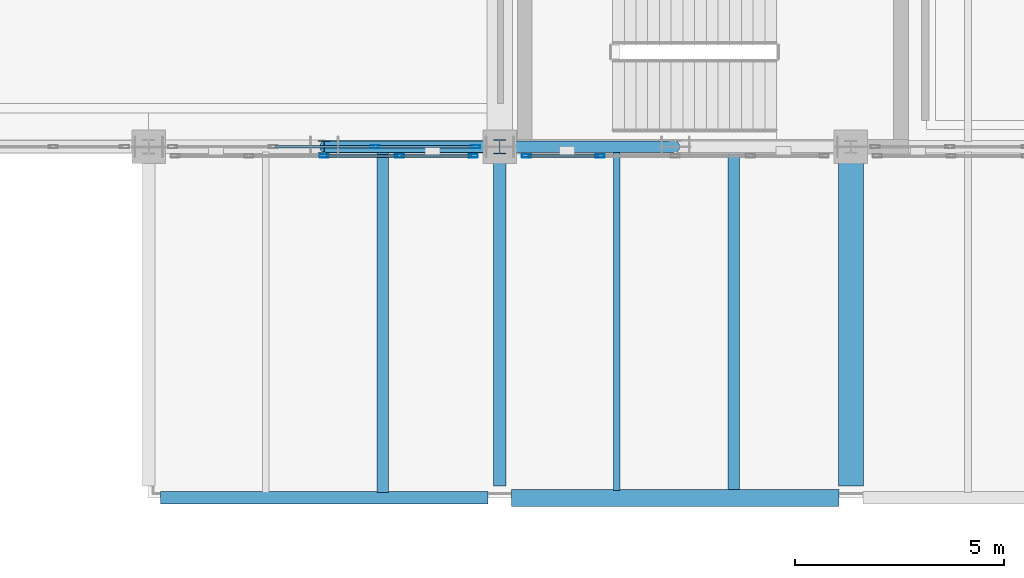
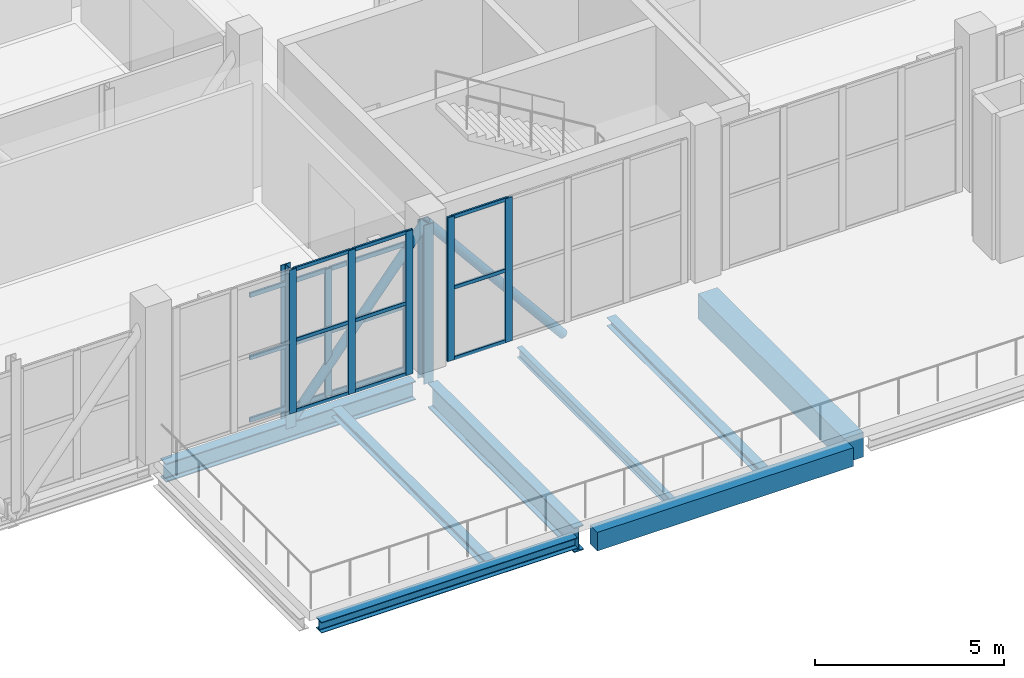
# One storey, part 4 of 77: 26 members, 8 beams, 3 elements without a shape of their own.
"""IFC4 building model written with IfcOpenShell, lengths in metres."""

from ifc_helpers import new_model, si_unit, direction, frame, origin, origin_2d, place, context, subcontext, project, spatial, rectangle, hollow_rectangle, hollow_circle, i_section, extrude, material, layer, layer_set, material_profile, profile_set, type_object, element, aggregate, save


model = new_model("IFC4")

# Units and contexts
model_context = context("Model", 3, precision=1e-05, world=origin(), true_north=direction((0.0, 1.0)))
body_context = subcontext(model_context, "Body", "Model", "MODEL_VIEW")
ifc_project = project(units=[si_unit("LENGTHUNIT", "METRE"), si_unit("AREAUNIT", "SQUARE_METRE"), si_unit("VOLUMEUNIT", "CUBIC_METRE"), si_unit("PLANEANGLEUNIT", "RADIAN"), si_unit("MASSUNIT", "GRAM", prefix="KILO")], contexts=[model_context])

# Site, building, storey
site_placement = place(None, origin())
site = spatial("IfcSite", under=ifc_project, at=site_placement, CompositionType="ELEMENT")
building_placement = place(site_placement, origin())
building = spatial("IfcBuilding", under=site, at=building_placement, Name="Zulmaris Art Gallery", CompositionType="ELEMENT")
storey_placement = place(building_placement, frame((0.0, 0.0, 15.60009765625)))
storey = spatial("IfcBuildingStorey", under=building, at=storey_placement, Name="L03", CompositionType="ELEMENT", Elevation=15.60009765625)

# Beams
ifc_material_1 = material(Name="Steel S355J2", Category="steel")
ifc_material_profile_1 = material_profile(ifc_material_1, i_section(OverallWidth=0.300048828125, OverallDepth=0.60009765625, WebThickness=0.015380859375, FlangeThickness=0.030029296875, FilletRadius=0.027099609375, at=origin_2d()), Name="HEB 600")
ifc_profile_set_1 = profile_set([ifc_material_profile_1], Name="Steel S355J2")
beam_type_1 = type_object("IfcBeamType", Name="BEAM-BM15", PredefinedType="BEAM", material=ifc_profile_set_1)
beam_1_placement = place(storey_placement, frame((24.385009765625, 21.60009765625, -0.670166015625), z_axis=(1.0, 0.0, 0.0), x_axis=(0.0, 1.0, 0.0)))
element("IfcBeam", 1, at=beam_1_placement, inside=storey, type_object=beam_type_1, Name="L03 X-girder (24.0..32.4, y=21.6)", PredefinedType="BEAM", context=body_context, shape_type="SweptSolid", body=[
    extrude(i_section(OverallWidth=0.300048828125, OverallDepth=0.60009765625, WebThickness=0.015380859375, FlangeThickness=0.030029296875, FilletRadius=0.027099609375, at=origin_2d()), origin(), (0.0, 0.0, 1.0), 7.6298828125),
])
ifc_material_profile_2 = material_profile(ifc_material_1, i_section(OverallWidth=0.300048828125, OverallDepth=0.800048828125, WebThickness=0.017578125, FlangeThickness=0.032958984375, FilletRadius=0.030029296875, at=origin_2d()), Name="HEB 800")
ifc_profile_set_2 = profile_set([ifc_material_profile_2], Name="Steel S355J2")
beam_type_2 = type_object("IfcBeamType", Name="BEAM-BM17", PredefinedType="BEAM", material=ifc_profile_set_2)
beam_2_placement = place(storey_placement, frame((32.39990234375, 13.485107421875, -0.77001953125), z_axis=(0.0, 1.0, 0.0), x_axis=(-1.0, 0.0, 0.0)))
element("IfcBeam", 2, at=beam_2_placement, inside=storey, type_object=beam_type_2, Name="L03 Y-girder (x=32.4, 13.2..21.6)", PredefinedType="BEAM", context=body_context, shape_type="SweptSolid", body=[
    extrude(i_section(OverallWidth=0.300048828125, OverallDepth=0.800048828125, WebThickness=0.017578125, FlangeThickness=0.032958984375, FilletRadius=0.030029296875, at=origin_2d()), origin(), (0.0, 0.0, 1.0), 7.72998046875),
])
ifc_material_2 = material(Name="Concrete C40/50", Category="concrete")
ifc_material_profile_3 = material_profile(ifc_material_2, rectangle(XDim=0.60009765625, YDim=0.800048828125, at=origin_2d()), Name="RC 600x800")
ifc_profile_set_3 = profile_set([ifc_material_profile_3], Name="Concrete C40/50")
beam_type_3 = type_object("IfcBeamType", Name="BEAM-BM27", PredefinedType="BEAM", material=ifc_profile_set_3)
beam_3_placement = place(storey_placement, frame((40.800048828125, 13.485107421875, -0.77001953125), z_axis=(0.0, 1.0, 0.0), x_axis=(-1.0, 0.0, 0.0)))
element("IfcBeam", 3, at=beam_3_placement, inside=storey, type_object=beam_type_3, Name="L03 Y-girder (x=40.8, 13.2..21.6)", PredefinedType="BEAM", context=body_context, shape_type="SweptSolid", body=[
    extrude(rectangle(XDim=0.60009765625, YDim=0.800048828125, at=origin_2d()), origin(), (0.0, 0.0, 1.0), 7.72998046875),
])
ifc_material_profile_4 = material_profile(ifc_material_1, i_section(OverallWidth=0.159912109375, OverallDepth=0.330078125, WebThickness=0.007568359375, FlangeThickness=0.011474609375, FilletRadius=0.01806640625, at=origin_2d()), Name="IPE 330")
ifc_profile_set_4 = profile_set([ifc_material_profile_4], Name="Steel S355J2")
beam_type_4 = type_object("IfcBeamType", Name="BEAM-JS03", PredefinedType="JOIST", material=ifc_profile_set_4)
beam_4_placement = place(storey_placement, frame((35.199951171875, 13.375, -0.53515625), z_axis=(0.0, 1.0, 0.0), x_axis=(-1.0, 0.0, 0.0)))
element("IfcBeam", 4, at=beam_4_placement, inside=storey, type_object=beam_type_4, Name="L03 secondary joist at x=35.2", PredefinedType="JOIST", context=body_context, shape_type="SweptSolid", body=[
    extrude(i_section(OverallWidth=0.159912109375, OverallDepth=0.330078125, WebThickness=0.007568359375, FlangeThickness=0.011474609375, FilletRadius=0.01806640625, at=origin_2d()), origin(), (0.0, 0.0, 1.0), 8.10009765625),
])
ifc_material_profile_5 = material_profile(ifc_material_1, i_section(OverallWidth=0.280029296875, OverallDepth=0.27001953125, WebThickness=0.008056640625, FlangeThickness=0.012939453125, FilletRadius=0.02392578125, at=origin_2d()), Name="HEA 280")
ifc_profile_set_5 = profile_set([ifc_material_profile_5], Name="Steel S355J2")
beam_type_5 = type_object("IfcBeamType", Name="BEAM-JS04", PredefinedType="JOIST", material=ifc_profile_set_5)
beam_5_placement = place(storey_placement, frame((29.60009765625, 13.324951171875, -0.505126953125), z_axis=(0.0, 1.0, 0.0), x_axis=(-1.0, 0.0, 0.0)))
element("IfcBeam", 5, at=beam_5_placement, inside=storey, type_object=beam_type_5, Name="L03 secondary joist at x=29.6", PredefinedType="JOIST", context=body_context, shape_type="SweptSolid", body=[
    extrude(i_section(OverallWidth=0.280029296875, OverallDepth=0.27001953125, WebThickness=0.008056640625, FlangeThickness=0.012939453125, FilletRadius=0.02392578125, at=origin_2d()), origin(), (0.0, 0.0, 1.0), 8.150146484375),
])
beam_6_placement = place(storey_placement, frame((38.0, 13.375, -0.505126953125), z_axis=(0.0, 1.0, 0.0), x_axis=(-1.0, 0.0, 0.0)))
element("IfcBeam", 6, at=beam_6_placement, inside=storey, type_object=beam_type_5, Name="L03 secondary joist at x=38.0", PredefinedType="JOIST", context=body_context, shape_type="SweptSolid", body=[
    extrude(i_section(OverallWidth=0.280029296875, OverallDepth=0.27001953125, WebThickness=0.008056640625, FlangeThickness=0.012939453125, FilletRadius=0.02392578125, at=origin_2d()), origin(), (0.0, 0.0, 1.0), 8.10009765625),
])
ifc_material_profile_6 = material_profile(ifc_material_1, i_section(OverallWidth=0.300048828125, OverallDepth=0.35009765625, WebThickness=0.010009765625, FlangeThickness=0.017578125, FilletRadius=0.027099609375, at=origin_2d()), Name="HEA 360")
ifc_profile_set_6 = profile_set([ifc_material_profile_6], Name="Steel S355J2")
beam_type_6 = type_object("IfcBeamType", Name="BEAM-SP01", PredefinedType="SPANDREL", material=ifc_profile_set_6)
beam_7_placement = place(storey_placement, frame((24.284912109375, 13.199951171875, -0.545166015625), z_axis=(1.0, 0.0, 0.0), x_axis=(0.0, 1.0, 0.0)))
element("IfcBeam", 7, at=beam_7_placement, inside=storey, type_object=beam_type_6, Name="L03 X-girder (24.0..32.4, y=13.2)", PredefinedType="SPANDREL", context=body_context, shape_type="SweptSolid", body=[
    extrude(i_section(OverallWidth=0.300048828125, OverallDepth=0.35009765625, WebThickness=0.010009765625, FlangeThickness=0.017578125, FilletRadius=0.027099609375, at=origin_2d()), origin(), (0.0, 0.0, 1.0), 7.830078125),
])
ifc_material_profile_7 = material_profile(ifc_material_2, rectangle(XDim=0.39990234375, YDim=0.60009765625, at=origin_2d()), Name="RC 400x600")
ifc_profile_set_7 = profile_set([ifc_material_profile_7], Name="Concrete C40/50")
beam_type_7 = type_object("IfcBeamType", Name="BEAM-SP03", PredefinedType="SPANDREL", material=ifc_profile_set_7)
beam_8_placement = place(storey_placement, frame((32.68505859375, 13.199951171875, -0.670166015625), z_axis=(1.0, 0.0, 0.0), x_axis=(0.0, 1.0, 0.0)))
element("IfcBeam", 8, at=beam_8_placement, inside=storey, type_object=beam_type_7, Name="L03 X-girder (32.4..40.8, y=13.2)", PredefinedType="SPANDREL", context=body_context, shape_type="SweptSolid", body=[
    extrude(rectangle(XDim=0.39990234375, YDim=0.60009765625, at=origin_2d()), origin(), (0.0, 0.0, 1.0), 7.829833984375),
])

# Curtain wall, members
ifc_material_3 = material(Name="Unitised Low-E Gallery Curtain Wall", Category="aluminium")
ifc_layer_1 = layer(ifc_material_3, 0.179931640625)
ifc_layer_set_1 = layer_set([ifc_layer_1], Name="Unitised Low-E Gallery Curtain Wall")
curtain_wall_type_1 = type_object("IfcCurtainWallType", Name="CW-CW01", PredefinedType="NOTDEFINED", material=ifc_layer_set_1)
curtain_wall_1_placement = place(storey_placement, origin())
curtain_wall_1 = element("IfcCurtainWall", 9, at=curtain_wall_1_placement, inside=storey, type_object=curtain_wall_type_1, Name="L03 curtain wall 5", PredefinedType="NOTDEFINED")
ifc_material_4 = material(Name="Anodised Bronze Aluminium", Category="aluminium")
ifc_material_profile_8 = material_profile(ifc_material_4, hollow_rectangle(XDim=0.074951171875, YDim=0.219970703125, WallThickness=0.0048828125, InnerFilletRadius=0.007568359375, OuterFilletRadius=0.012451171875, at=origin_2d()), Name="ALU 75x220x5")
ifc_profile_set_8 = profile_set([ifc_material_profile_8], Name="Anodised Bronze Aluminium")
member_type_1 = type_object("IfcMemberType", Name="CWMUL-02", PredefinedType="MULLION", material=ifc_profile_set_8)
member_1_placement = place(storey_placement, frame((29.419921875, 21.60009765625, 0.0), z_axis=(0.0, 0.0, 1.0), x_axis=(0.0, 1.0, 0.0)))
member_1 = element("IfcMember", 10, at=member_1_placement, type_object=member_type_1, Name="CW01 mullion 3", PredefinedType="MULLION", context=body_context, shape_type="SweptSolid", body=[
    extrude(hollow_rectangle(XDim=0.074951171875, YDim=0.219970703125, WallThickness=0.0048828125, InnerFilletRadius=0.007568359375, OuterFilletRadius=0.012451171875, at=origin_2d()), origin(), (0.0, 0.0, 1.0), 4.10986328125),
])
member_2_placement = place(storey_placement, frame((31.822509765625, 21.60009765625, 0.0), z_axis=(0.0, 0.0, 1.0), x_axis=(0.0, 1.0, 0.0)))
member_2 = element("IfcMember", 11, at=member_2_placement, type_object=member_type_1, Name="CW01 mullion 4", PredefinedType="MULLION", context=body_context, shape_type="SweptSolid", body=[
    extrude(hollow_rectangle(XDim=0.074951171875, YDim=0.219970703125, WallThickness=0.0048828125, InnerFilletRadius=0.007568359375, OuterFilletRadius=0.012451171875, at=origin_2d()), origin(), (0.0, 0.0, 1.0), 4.10986328125),
])

ifc_material_5 = material(Name="Perforated Bronze Art Deco Mashrabiya Screen", Category="aluminium")
ifc_layer_2 = layer(ifc_material_5, 0.179931640625)
ifc_layer_set_2 = layer_set([ifc_layer_2], Name="Perforated Bronze Art Deco Mashrabiya Screen")
curtain_wall_type_2 = type_object("IfcCurtainWallType", Name="CW-CW06", PredefinedType="USERDEFINED", material=ifc_layer_set_2)
curtain_wall_2_placement = place(storey_placement, origin())
curtain_wall_2 = element("IfcCurtainWall", 12, at=curtain_wall_2_placement, inside=storey, type_object=curtain_wall_type_2, Name="L03 Mashrabiya screen 171", ObjectType="MASHRABIYA SCREEN", PredefinedType="USERDEFINED")
member_3_placement = place(storey_placement, frame((28.199951171875, 21.3798828125, 0.0), z_axis=(0.0, 0.0, 1.0), x_axis=(0.0, 1.0, 0.0)))
member_3 = element("IfcMember", 13, at=member_3_placement, type_object=member_type_1, Name="CW06 mullion 3", PredefinedType="MULLION", context=body_context, shape_type="SweptSolid", body=[
    extrude(hollow_rectangle(XDim=0.074951171875, YDim=0.219970703125, WallThickness=0.0048828125, InnerFilletRadius=0.007568359375, OuterFilletRadius=0.012451171875, at=origin_2d()), origin(), (0.0, 0.0, 1.0), 4.64990234375),
])
member_4_placement = place(storey_placement, frame((30.0, 21.3798828125, 0.0), z_axis=(0.0, 0.0, 1.0), x_axis=(0.0, 1.0, 0.0)))
member_4 = element("IfcMember", 14, at=member_4_placement, type_object=member_type_1, Name="CW06 mullion 4", PredefinedType="MULLION", context=body_context, shape_type="SweptSolid", body=[
    extrude(hollow_rectangle(XDim=0.074951171875, YDim=0.219970703125, WallThickness=0.0048828125, InnerFilletRadius=0.007568359375, OuterFilletRadius=0.012451171875, at=origin_2d()), origin(), (0.0, 0.0, 1.0), 4.64990234375),
])
member_5_placement = place(storey_placement, frame((31.762451171875, 21.3798828125, 0.0), z_axis=(0.0, 0.0, 1.0), x_axis=(0.0, 1.0, 0.0)))
member_5 = element("IfcMember", 15, at=member_5_placement, type_object=member_type_1, Name="CW06 mullion 5", PredefinedType="MULLION", context=body_context, shape_type="SweptSolid", body=[
    extrude(hollow_rectangle(XDim=0.074951171875, YDim=0.219970703125, WallThickness=0.0048828125, InnerFilletRadius=0.007568359375, OuterFilletRadius=0.012451171875, at=origin_2d()), origin(), (0.0, 0.0, 1.0), 4.64990234375),
])

curtain_wall_3_placement = place(storey_placement, origin())
curtain_wall_3 = element("IfcCurtainWall", 16, at=curtain_wall_3_placement, inside=storey, type_object=curtain_wall_type_2, Name="L03 Mashrabiya screen 172", ObjectType="MASHRABIYA SCREEN", PredefinedType="USERDEFINED")
member_6_placement = place(storey_placement, frame((33.03759765625, 21.3798828125, 0.0), z_axis=(0.0, 0.0, 1.0), x_axis=(0.0, 1.0, 0.0)))
member_6 = element("IfcMember", 17, at=member_6_placement, type_object=member_type_1, Name="CW06 mullion 1", PredefinedType="MULLION", context=body_context, shape_type="SweptSolid", body=[
    extrude(hollow_rectangle(XDim=0.074951171875, YDim=0.219970703125, WallThickness=0.0048828125, InnerFilletRadius=0.007568359375, OuterFilletRadius=0.012451171875, at=origin_2d()), origin(), (0.0, 0.0, 1.0), 4.64990234375),
])
member_7_placement = place(storey_placement, frame((34.800048828125, 21.3798828125, 0.0), z_axis=(0.0, 0.0, 1.0), x_axis=(0.0, 1.0, 0.0)))
member_7 = element("IfcMember", 18, at=member_7_placement, type_object=member_type_1, Name="CW06 mullion 2", PredefinedType="MULLION", context=body_context, shape_type="SweptSolid", body=[
    extrude(hollow_rectangle(XDim=0.074951171875, YDim=0.219970703125, WallThickness=0.0048828125, InnerFilletRadius=0.007568359375, OuterFilletRadius=0.012451171875, at=origin_2d()), origin(), (0.0, 0.0, 1.0), 4.64990234375),
])

# Member
ifc_material_profile_9 = material_profile(ifc_material_4, hollow_rectangle(XDim=0.06494140625, YDim=0.14990234375, WallThickness=0.00390625, InnerFilletRadius=0.006103515625, OuterFilletRadius=0.010009765625, at=origin_2d()), Name="ALU 65x150x4")
ifc_profile_set_9 = profile_set([ifc_material_profile_9], Name="Anodised Bronze Aluminium")
member_type_2 = type_object("IfcMemberType", Name="CWTRN-01", PredefinedType="USERDEFINED", material=ifc_profile_set_9)
member_8_placement = place(storey_placement, frame((27.017578125, 21.60009765625, 0.037353515625), z_axis=(1.0, 0.0, 0.0), x_axis=(0.0, 1.0, 0.0)))
member_8 = element("IfcMember", 19, at=member_8_placement, type_object=member_type_2, Name="CW01 transom 2.1", ObjectType="TRANSOM", PredefinedType="USERDEFINED", context=body_context, shape_type="SweptSolid", body=[
    extrude(hollow_rectangle(XDim=0.06494140625, YDim=0.14990234375, WallThickness=0.00390625, InnerFilletRadius=0.006103515625, OuterFilletRadius=0.010009765625, at=origin_2d()), origin(), (0.0, 0.0, 1.0), 2.364990234375),
])

member_9_placement = place(storey_placement, frame((27.017578125, 21.60009765625, 2.054931640625), z_axis=(1.0, 0.0, 0.0), x_axis=(0.0, 1.0, 0.0)))
member_9 = element("IfcMember", 20, at=member_9_placement, type_object=member_type_2, Name="CW01 transom 2.2", ObjectType="TRANSOM", PredefinedType="USERDEFINED", context=body_context, shape_type="SweptSolid", body=[
    extrude(hollow_rectangle(XDim=0.06494140625, YDim=0.14990234375, WallThickness=0.00390625, InnerFilletRadius=0.006103515625, OuterFilletRadius=0.010009765625, at=origin_2d()), origin(), (0.0, 0.0, 1.0), 2.364990234375),
])

member_10_placement = place(storey_placement, frame((27.017578125, 21.60009765625, 4.072509765625), z_axis=(1.0, 0.0, 0.0), x_axis=(0.0, 1.0, 0.0)))
member_10 = element("IfcMember", 21, at=member_10_placement, type_object=member_type_2, Name="CW01 transom 2.3", ObjectType="TRANSOM", PredefinedType="USERDEFINED", context=body_context, shape_type="SweptSolid", body=[
    extrude(hollow_rectangle(XDim=0.06494140625, YDim=0.14990234375, WallThickness=0.00390625, InnerFilletRadius=0.006103515625, OuterFilletRadius=0.010009765625, at=origin_2d()), origin(), (0.0, 0.0, 1.0), 2.364990234375),
])

member_11_placement = place(storey_placement, frame((29.45751953125, 21.60009765625, 0.037353515625), z_axis=(1.0, 0.0, 0.0), x_axis=(0.0, 1.0, 0.0)))
member_11 = element("IfcMember", 22, at=member_11_placement, type_object=member_type_2, Name="CW01 transom 3.1", ObjectType="TRANSOM", PredefinedType="USERDEFINED", context=body_context, shape_type="SweptSolid", body=[
    extrude(hollow_rectangle(XDim=0.06494140625, YDim=0.14990234375, WallThickness=0.00390625, InnerFilletRadius=0.006103515625, OuterFilletRadius=0.010009765625, at=origin_2d()), origin(), (0.0, 0.0, 1.0), 2.327392578125),
])

member_12_placement = place(storey_placement, frame((29.45751953125, 21.60009765625, 2.054931640625), z_axis=(1.0, 0.0, 0.0), x_axis=(0.0, 1.0, 0.0)))
member_12 = element("IfcMember", 23, at=member_12_placement, type_object=member_type_2, Name="CW01 transom 3.2", ObjectType="TRANSOM", PredefinedType="USERDEFINED", context=body_context, shape_type="SweptSolid", body=[
    extrude(hollow_rectangle(XDim=0.06494140625, YDim=0.14990234375, WallThickness=0.00390625, InnerFilletRadius=0.006103515625, OuterFilletRadius=0.010009765625, at=origin_2d()), origin(), (0.0, 0.0, 1.0), 2.327392578125),
])

member_13_placement = place(storey_placement, frame((29.45751953125, 21.60009765625, 4.072509765625), z_axis=(1.0, 0.0, 0.0), x_axis=(0.0, 1.0, 0.0)))
member_13 = element("IfcMember", 24, at=member_13_placement, type_object=member_type_2, Name="CW01 transom 3.3", ObjectType="TRANSOM", PredefinedType="USERDEFINED", context=body_context, shape_type="SweptSolid", body=[
    extrude(hollow_rectangle(XDim=0.06494140625, YDim=0.14990234375, WallThickness=0.00390625, InnerFilletRadius=0.006103515625, OuterFilletRadius=0.010009765625, at=origin_2d()), origin(), (0.0, 0.0, 1.0), 2.327392578125),
])

aggregate(curtain_wall_1, [member_1, member_2, member_8, member_9, member_10, member_11, member_12, member_13])

ifc_material_profile_10 = material_profile(ifc_material_4, hollow_rectangle(XDim=0.06494140625, YDim=0.1201171875, WallThickness=0.00390625, InnerFilletRadius=0.006103515625, OuterFilletRadius=0.010009765625, at=origin_2d()), Name="ALU 65x120x4")
ifc_profile_set_10 = profile_set([ifc_material_profile_10], Name="Anodised Bronze Aluminium")
member_type_3 = type_object("IfcMemberType", Name="CWTRN-03", PredefinedType="USERDEFINED", material=ifc_profile_set_10)
member_14_placement = place(storey_placement, frame((28.237548828125, 21.3798828125, 0.037353515625), z_axis=(1.0, 0.0, 0.0), x_axis=(0.0, 1.0, 0.0)))
member_14 = element("IfcMember", 25, at=member_14_placement, type_object=member_type_3, Name="CW06 transom 3.1", ObjectType="TRANSOM", PredefinedType="USERDEFINED", context=body_context, shape_type="SweptSolid", body=[
    extrude(hollow_rectangle(XDim=0.06494140625, YDim=0.1201171875, WallThickness=0.00390625, InnerFilletRadius=0.006103515625, OuterFilletRadius=0.010009765625, at=origin_2d()), origin(), (0.0, 0.0, 1.0), 1.724853515625),
])

member_15_placement = place(storey_placement, frame((28.237548828125, 21.3798828125, 2.324951171875), z_axis=(1.0, 0.0, 0.0), x_axis=(0.0, 1.0, 0.0)))
member_15 = element("IfcMember", 26, at=member_15_placement, type_object=member_type_3, Name="CW06 transom 3.2", ObjectType="TRANSOM", PredefinedType="USERDEFINED", context=body_context, shape_type="SweptSolid", body=[
    extrude(hollow_rectangle(XDim=0.06494140625, YDim=0.1201171875, WallThickness=0.00390625, InnerFilletRadius=0.006103515625, OuterFilletRadius=0.010009765625, at=origin_2d()), origin(), (0.0, 0.0, 1.0), 1.724853515625),
])

member_16_placement = place(storey_placement, frame((28.237548828125, 21.3798828125, 4.6123046875), z_axis=(1.0, 0.0, 0.0), x_axis=(0.0, 1.0, 0.0)))
member_16 = element("IfcMember", 27, at=member_16_placement, type_object=member_type_3, Name="CW06 transom 3.3", ObjectType="TRANSOM", PredefinedType="USERDEFINED", context=body_context, shape_type="SweptSolid", body=[
    extrude(hollow_rectangle(XDim=0.06494140625, YDim=0.1201171875, WallThickness=0.00390625, InnerFilletRadius=0.006103515625, OuterFilletRadius=0.010009765625, at=origin_2d()), origin(), (0.0, 0.0, 1.0), 1.724853515625),
])

member_17_placement = place(storey_placement, frame((30.03759765625, 21.3798828125, 0.037353515625), z_axis=(1.0, 0.0, 0.0), x_axis=(0.0, 1.0, 0.0)))
member_17 = element("IfcMember", 28, at=member_17_placement, type_object=member_type_3, Name="CW06 transom 4.1", ObjectType="TRANSOM", PredefinedType="USERDEFINED", context=body_context, shape_type="SweptSolid", body=[
    extrude(hollow_rectangle(XDim=0.06494140625, YDim=0.1201171875, WallThickness=0.00390625, InnerFilletRadius=0.006103515625, OuterFilletRadius=0.010009765625, at=origin_2d()), origin(), (0.0, 0.0, 1.0), 1.6875),
])

member_18_placement = place(storey_placement, frame((30.03759765625, 21.3798828125, 2.324951171875), z_axis=(1.0, 0.0, 0.0), x_axis=(0.0, 1.0, 0.0)))
member_18 = element("IfcMember", 29, at=member_18_placement, type_object=member_type_3, Name="CW06 transom 4.2", ObjectType="TRANSOM", PredefinedType="USERDEFINED", context=body_context, shape_type="SweptSolid", body=[
    extrude(hollow_rectangle(XDim=0.06494140625, YDim=0.1201171875, WallThickness=0.00390625, InnerFilletRadius=0.006103515625, OuterFilletRadius=0.010009765625, at=origin_2d()), origin(), (0.0, 0.0, 1.0), 1.6875),
])

member_19_placement = place(storey_placement, frame((30.03759765625, 21.3798828125, 4.6123046875), z_axis=(1.0, 0.0, 0.0), x_axis=(0.0, 1.0, 0.0)))
member_19 = element("IfcMember", 30, at=member_19_placement, type_object=member_type_3, Name="CW06 transom 4.3", ObjectType="TRANSOM", PredefinedType="USERDEFINED", context=body_context, shape_type="SweptSolid", body=[
    extrude(hollow_rectangle(XDim=0.06494140625, YDim=0.1201171875, WallThickness=0.00390625, InnerFilletRadius=0.006103515625, OuterFilletRadius=0.010009765625, at=origin_2d()), origin(), (0.0, 0.0, 1.0), 1.6875),
])

aggregate(curtain_wall_2, [member_3, member_4, member_5, member_14, member_15, member_16, member_17, member_18, member_19])

member_20_placement = place(storey_placement, frame((33.074951171875, 21.3798828125, 0.037353515625), z_axis=(1.0, 0.0, 0.0), x_axis=(0.0, 1.0, 0.0)))
member_20 = element("IfcMember", 31, at=member_20_placement, type_object=member_type_3, Name="CW06 transom 1.1", ObjectType="TRANSOM", PredefinedType="USERDEFINED", context=body_context, shape_type="SweptSolid", body=[
    extrude(hollow_rectangle(XDim=0.06494140625, YDim=0.1201171875, WallThickness=0.00390625, InnerFilletRadius=0.006103515625, OuterFilletRadius=0.010009765625, at=origin_2d()), origin(), (0.0, 0.0, 1.0), 1.6875),
])

member_21_placement = place(storey_placement, frame((33.074951171875, 21.3798828125, 2.324951171875), z_axis=(1.0, 0.0, 0.0), x_axis=(0.0, 1.0, 0.0)))
member_21 = element("IfcMember", 32, at=member_21_placement, type_object=member_type_3, Name="CW06 transom 1.2", ObjectType="TRANSOM", PredefinedType="USERDEFINED", context=body_context, shape_type="SweptSolid", body=[
    extrude(hollow_rectangle(XDim=0.06494140625, YDim=0.1201171875, WallThickness=0.00390625, InnerFilletRadius=0.006103515625, OuterFilletRadius=0.010009765625, at=origin_2d()), origin(), (0.0, 0.0, 1.0), 1.6875),
])

member_22_placement = place(storey_placement, frame((33.074951171875, 21.3798828125, 4.6123046875), z_axis=(1.0, 0.0, 0.0), x_axis=(0.0, 1.0, 0.0)))
member_22 = element("IfcMember", 33, at=member_22_placement, type_object=member_type_3, Name="CW06 transom 1.3", ObjectType="TRANSOM", PredefinedType="USERDEFINED", context=body_context, shape_type="SweptSolid", body=[
    extrude(hollow_rectangle(XDim=0.06494140625, YDim=0.1201171875, WallThickness=0.00390625, InnerFilletRadius=0.006103515625, OuterFilletRadius=0.010009765625, at=origin_2d()), origin(), (0.0, 0.0, 1.0), 1.6875),
])

aggregate(curtain_wall_3, [member_6, member_7, member_20, member_21, member_22])

# Members
ifc_material_6 = material(Name="Steel S355J2H", Category="steel")
ifc_material_profile_11 = material_profile(ifc_material_6, hollow_circle(Radius=0.136474609375, WallThickness=0.012451171875, at=origin_2d()), Name="CHS 273x12.5")
ifc_profile_set_11 = profile_set([ifc_material_profile_11], Name="Steel S355J2H")
member_type_4 = type_object("IfcMemberType", Name="MEM-TB03", PredefinedType="BRACE", material=ifc_profile_set_11)
member_23_placement = place(storey_placement, frame((28.199951171875, 21.60009765625, -0.5361328125), z_axis=(0.634319436883, 0.0, 0.773071052357), x_axis=(0.0, 1.0, 0.0)))
element("IfcMember", 34, at=member_23_placement, inside=storey, type_object=member_type_4, Name="Cantilever truss TR-C1 diagonal 5", PredefinedType="BRACE", context=body_context, shape_type="SweptSolid", body=[
    extrude(hollow_circle(Radius=0.136474609375, WallThickness=0.012451171875, at=origin_2d()), origin(), (0.0, 0.0, 1.0), 6.62109375),
])
member_24_placement = place(storey_placement, frame((32.39990234375, 21.60009765625, 4.58251953125), z_axis=(0.634341472612, 0.0, -0.773052971099), x_axis=(0.0, 1.0, 0.0)))
element("IfcMember", 35, at=member_24_placement, inside=storey, type_object=member_type_4, Name="Cantilever truss TR-C1 diagonal 6", PredefinedType="BRACE", context=body_context, shape_type="SweptSolid", body=[
    extrude(hollow_circle(Radius=0.136474609375, WallThickness=0.012451171875, at=origin_2d()), origin(), (0.0, 0.0, 1.0), 6.621337890625),
])
ifc_material_profile_12 = material_profile(ifc_material_1, i_section(OverallWidth=0.300048828125, OverallDepth=0.300048828125, WebThickness=0.010986328125, FlangeThickness=0.01904296875, FilletRadius=0.027099609375, at=origin_2d()), Name="HEB 300")
ifc_profile_set_12 = profile_set([ifc_material_profile_12], Name="Steel S355J2")
member_type_5 = type_object("IfcMemberType", Name="MEM-TP03", PredefinedType="POST", material=ifc_profile_set_12)
member_25_placement = place(storey_placement, frame((28.199951171875, 21.60009765625, -0.5361328125), z_axis=(0.0, 0.0, 1.0), x_axis=(1.0, 0.0, 0.0)))
element("IfcMember", 36, at=member_25_placement, inside=storey, type_object=member_type_5, Name="Cantilever truss TR-C1 post 5", PredefinedType="POST", context=body_context, shape_type="SweptSolid", body=[
    extrude(i_section(OverallWidth=0.300048828125, OverallDepth=0.300048828125, WebThickness=0.010986328125, FlangeThickness=0.01904296875, FilletRadius=0.027099609375, at=origin_2d()), origin(), (0.0, 0.0, 1.0), 5.11865234375),
])
ifc_material_profile_13 = material_profile(ifc_material_1, i_section(OverallWidth=0.300048828125, OverallDepth=0.340087890625, WebThickness=0.011962890625, FlangeThickness=0.021484375, FilletRadius=0.027099609375, at=origin_2d()), Name="HEB 340")
ifc_profile_set_13 = profile_set([ifc_material_profile_13], Name="Steel S355J2")
member_type_6 = type_object("IfcMemberType", Name="MEM-TP04", PredefinedType="POST", material=ifc_profile_set_13)
member_26_placement = place(storey_placement, frame((32.39990234375, 21.60009765625, -0.550048828125), z_axis=(0.0, 0.0, 1.0), x_axis=(1.0, 0.0, 0.0)))
element("IfcMember", 37, at=member_26_placement, inside=storey, type_object=member_type_6, Name="Cantilever truss TR-C1 post 6", PredefinedType="POST", context=body_context, shape_type="SweptSolid", body=[
    extrude(i_section(OverallWidth=0.300048828125, OverallDepth=0.340087890625, WebThickness=0.011962890625, FlangeThickness=0.021484375, FilletRadius=0.027099609375, at=origin_2d()), origin(), (0.0, 0.0, 1.0), 5.132568359375),
])

save(model, "model.ifc")
